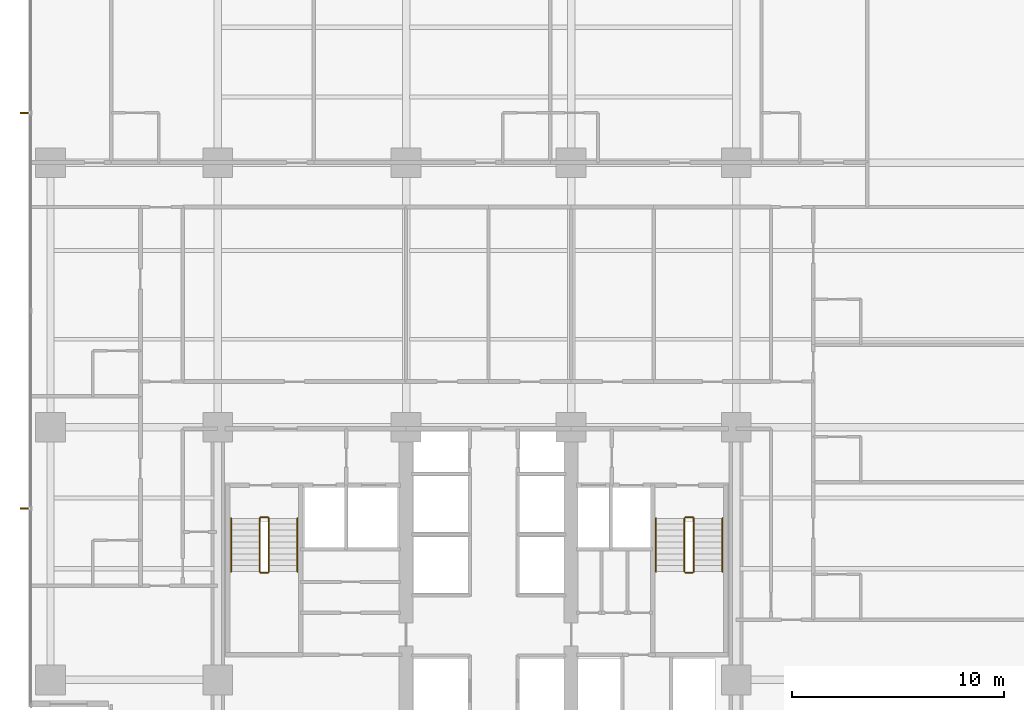
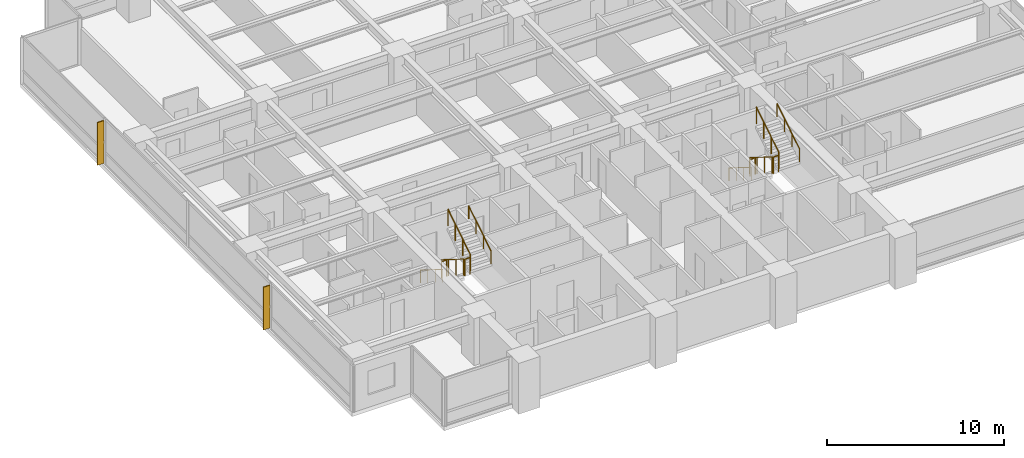
# One storey, part 15 of 16: 12 railings, 2 shading devices.
"""IFC4 building model written with IfcOpenShell, lengths in metres."""

from ifc_helpers import new_model, si_unit, direction, frame, origin, origin_2d, place, context, subcontext, project, spatial, polyline, circle, outline, extrude, material, layer, layer_set, type_object, element, save


model = new_model("IFC4")

# Units and contexts
model_context = context("Model", 3, precision=1e-05, world=origin(), true_north=direction((0.0, 1.0)))
body_context = subcontext(model_context, "Body", "Model", "MODEL_VIEW")
ifc_project = project(units=[si_unit("LENGTHUNIT", "METRE"), si_unit("AREAUNIT", "SQUARE_METRE"), si_unit("VOLUMEUNIT", "CUBIC_METRE"), si_unit("PLANEANGLEUNIT", "RADIAN"), si_unit("MASSUNIT", "GRAM", prefix="KILO")], contexts=[model_context])

# Site, building, storey
site_placement = place(None, origin())
site = spatial("IfcSite", under=ifc_project, at=site_placement, CompositionType="ELEMENT")
building_placement = place(site_placement, origin())
building = spatial("IfcBuilding", under=site, at=building_placement, Name="Qalmaran Belvedere Hotel", CompositionType="ELEMENT")
storey_placement = place(building_placement, frame((0.0, 0.0, 50.89990234375)))
storey = spatial("IfcBuildingStorey", under=building, at=storey_placement, Name="L12", CompositionType="ELEMENT", Elevation=50.89990234375)

# Shading devices
ifc_material_1 = material(Name="Anodised Bronze Aluminium", Category="aluminium")
ifc_layer = layer(ifc_material_1, 0.06494140625, Name="Anodised Bronze Aluminium")
ifc_layer_set = layer_set([ifc_layer], Name="Anodised Bronze Aluminium")
shading_device_type = type_object("IfcShadingDeviceType", Name="FIN-BRNZ-420", PredefinedType="USERDEFINED", material=ifc_layer_set)
shading_device_1_placement = place(storey_placement, frame((0.0, 0.0, 0.16015625)))
element("IfcShadingDevice", 1, at=shading_device_1_placement, inside=storey, type_object=shading_device_type, Name="L12 Bronze Fin 1", ObjectType="FIN", PredefinedType="USERDEFINED", context=body_context, shape_type="SweptSolid", body=[
    extrude(outline(polyline([(11.37744140625, 35.382568359375), (10.95751953125, 35.382568359375), (10.95751953125, 35.3173828125), (11.37744140625, 35.3173828125), (11.37744140625, 35.382568359375)])), origin(), (0.0, 0.0, 1.0), 2.93994140625),
])
shading_device_2_placement = place(storey_placement, frame((0.0, 0.0, 0.16015625)))
element("IfcShadingDevice", 2, at=shading_device_2_placement, inside=storey, type_object=shading_device_type, Name="L12 Bronze Fin 3", ObjectType="FIN", PredefinedType="USERDEFINED", context=body_context, shape_type="SweptSolid", body=[
    extrude(outline(polyline([(11.37744140625, 16.6826171875), (10.95751953125, 16.6826171875), (10.95751953125, 16.617431640625), (11.37744140625, 16.617431640625), (11.37744140625, 16.6826171875)])), origin(), (0.0, 0.0, 1.0), 2.93994140625),
])

# Railings
ifc_material_2 = material(Name="Stainless Steel 1.4401", Category="steel")
railing_type_1 = type_object("IfcRailingType", Name="RLG-STAIR-GUARD-1150", PredefinedType="GUARDRAIL", material=ifc_material_2)
railing_1_placement = place(storey_placement, frame((22.280029296875, 16.18994140625, 0.175048828125)))
element("IfcRailing", 3, at=railing_1_placement, inside=storey, type_object=railing_type_1, Name="L12 ST-1 stair guard 1", PredefinedType="GUARDRAIL", context=body_context, shape_type="SweptSolid", body=[
    extrude(circle(Radius=0.02392578125, at=origin_2d()), frame((0.0, 0.0, 1.1259765625), z_axis=(0.0, -0.848007534815, 0.529984170421), x_axis=(1.0, 0.0, 0.0)), (0.0, 0.0, 1.0), 2.9716796875),
    extrude(circle(Radius=0.02099609375, at=origin_2d()), origin(), (0.0, 0.0, 1.0), 1.101806640625),
    extrude(circle(Radius=0.02099609375, at=origin_2d()), frame((0.0, -0.840087890625, 0.52490234375)), (0.0, 0.0, 1.0), 1.101806640625),
    extrude(circle(Radius=0.02099609375, at=origin_2d()), frame((0.0, -1.679931640625, 1.050048828125)), (0.0, 0.0, 1.0), 1.101806640625),
    extrude(circle(Radius=0.02099609375, at=origin_2d()), frame((0.0, -2.52001953125, 1.574951171875)), (0.0, 0.0, 1.0), 1.101806640625),
])
railing_2_placement = place(storey_placement, frame((22.330078125, 13.6201171875, 1.75)))
element("IfcRailing", 4, at=railing_2_placement, inside=storey, type_object=railing_type_1, Name="L12 ST-1 stair guard 2", PredefinedType="GUARDRAIL", context=body_context, shape_type="SweptSolid", body=[
    extrude(circle(Radius=0.02392578125, at=origin_2d()), frame((0.0, 0.0, 1.1259765625), z_axis=(1.0, 0.0, 0.0), x_axis=(0.0, 1.0, 0.0)), (0.0, 0.0, 1.0), 0.33984375),
    extrude(circle(Radius=0.02099609375, at=origin_2d()), origin(), (0.0, 0.0, 1.0), 1.101806640625),
    extrude(circle(Radius=0.02099609375, at=origin_2d()), frame((0.33984375, 0.0, 0.0)), (0.0, 0.0, 1.0), 1.101806640625),
])
railing_3_placement = place(storey_placement, frame((22.719970703125, 13.669921875, 1.925048828125)))
element("IfcRailing", 5, at=railing_3_placement, inside=storey, type_object=railing_type_1, Name="L12 ST-1 stair guard 3", PredefinedType="GUARDRAIL", context=body_context, shape_type="SweptSolid", body=[
    extrude(circle(Radius=0.02392578125, at=origin_2d()), frame((0.0, 0.0, 1.1259765625), z_axis=(0.0, 0.848007534815, 0.529984170421), x_axis=(-1.0, 0.0, 0.0)), (0.0, 0.0, 1.0), 2.9716796875),
    extrude(circle(Radius=0.02099609375, at=origin_2d()), origin(), (0.0, 0.0, 1.0), 1.101806640625),
    extrude(circle(Radius=0.02099609375, at=origin_2d()), frame((0.0, 0.840087890625, 0.52490234375)), (0.0, 0.0, 1.0), 1.101806640625),
    extrude(circle(Radius=0.02099609375, at=origin_2d()), frame((0.0, 1.679931640625, 1.050048828125)), (0.0, 0.0, 1.0), 1.101806640625),
    extrude(circle(Radius=0.02099609375, at=origin_2d()), frame((0.0, 2.52001953125, 1.574951171875)), (0.0, 0.0, 1.0), 1.101806640625),
])
railing_4_placement = place(storey_placement, frame((22.330078125, 16.239990234375, 0.0)))
element("IfcRailing", 6, at=railing_4_placement, inside=storey, type_object=railing_type_1, Name="L12 ST-1 stair guard 4", PredefinedType="GUARDRAIL", context=body_context, shape_type="SweptSolid", body=[
    extrude(circle(Radius=0.02392578125, at=origin_2d()), frame((0.0, 0.0, 1.1259765625), z_axis=(1.0, 0.0, 0.0), x_axis=(0.0, 1.0, 0.0)), (0.0, 0.0, 1.0), 0.33984375),
    extrude(circle(Radius=0.02099609375, at=origin_2d()), origin(), (0.0, 0.0, 1.0), 1.101806640625),
    extrude(circle(Radius=0.02099609375, at=origin_2d()), frame((0.33984375, 0.0, 0.0)), (0.0, 0.0, 1.0), 1.101806640625),
])
railing_5_placement = place(storey_placement, frame((42.360107421875, 16.18994140625, 0.175048828125)))
element("IfcRailing", 7, at=railing_5_placement, inside=storey, type_object=railing_type_1, Name="L12 ST-2 stair guard 1", PredefinedType="GUARDRAIL", context=body_context, shape_type="SweptSolid", body=[
    extrude(circle(Radius=0.02392578125, at=origin_2d()), frame((0.0, 0.0, 1.1259765625), z_axis=(0.0, -0.848007534815, 0.529984170421), x_axis=(1.0, 0.0, 0.0)), (0.0, 0.0, 1.0), 2.9716796875),
    extrude(circle(Radius=0.02099609375, at=origin_2d()), origin(), (0.0, 0.0, 1.0), 1.101806640625),
    extrude(circle(Radius=0.02099609375, at=origin_2d()), frame((0.0, -0.840087890625, 0.52490234375)), (0.0, 0.0, 1.0), 1.101806640625),
    extrude(circle(Radius=0.02099609375, at=origin_2d()), frame((0.0, -1.679931640625, 1.050048828125)), (0.0, 0.0, 1.0), 1.101806640625),
    extrude(circle(Radius=0.02099609375, at=origin_2d()), frame((0.0, -2.52001953125, 1.574951171875)), (0.0, 0.0, 1.0), 1.101806640625),
])
railing_6_placement = place(storey_placement, frame((42.409912109375, 13.6201171875, 1.75)))
element("IfcRailing", 8, at=railing_6_placement, inside=storey, type_object=railing_type_1, Name="L12 ST-2 stair guard 2", PredefinedType="GUARDRAIL", context=body_context, shape_type="SweptSolid", body=[
    extrude(circle(Radius=0.02392578125, at=origin_2d()), frame((0.0, 0.0, 1.1259765625), z_axis=(1.0, 0.0, 0.0), x_axis=(0.0, 1.0, 0.0)), (0.0, 0.0, 1.0), 0.340087890625),
    extrude(circle(Radius=0.02099609375, at=origin_2d()), origin(), (0.0, 0.0, 1.0), 1.101806640625),
    extrude(circle(Radius=0.02099609375, at=origin_2d()), frame((0.340087890625, 0.0, 0.0)), (0.0, 0.0, 1.0), 1.101806640625),
])
railing_7_placement = place(storey_placement, frame((42.800048828125, 13.669921875, 1.925048828125)))
element("IfcRailing", 9, at=railing_7_placement, inside=storey, type_object=railing_type_1, Name="L12 ST-2 stair guard 3", PredefinedType="GUARDRAIL", context=body_context, shape_type="SweptSolid", body=[
    extrude(circle(Radius=0.02392578125, at=origin_2d()), frame((0.0, 0.0, 1.1259765625), z_axis=(0.0, 0.848007534815, 0.529984170421), x_axis=(-1.0, 0.0, 0.0)), (0.0, 0.0, 1.0), 2.9716796875),
    extrude(circle(Radius=0.02099609375, at=origin_2d()), origin(), (0.0, 0.0, 1.0), 1.101806640625),
    extrude(circle(Radius=0.02099609375, at=origin_2d()), frame((0.0, 0.840087890625, 0.52490234375)), (0.0, 0.0, 1.0), 1.101806640625),
    extrude(circle(Radius=0.02099609375, at=origin_2d()), frame((0.0, 1.679931640625, 1.050048828125)), (0.0, 0.0, 1.0), 1.101806640625),
    extrude(circle(Radius=0.02099609375, at=origin_2d()), frame((0.0, 2.52001953125, 1.574951171875)), (0.0, 0.0, 1.0), 1.101806640625),
])
railing_8_placement = place(storey_placement, frame((42.409912109375, 16.239990234375, 0.0)))
element("IfcRailing", 10, at=railing_8_placement, inside=storey, type_object=railing_type_1, Name="L12 ST-2 stair guard 4", PredefinedType="GUARDRAIL", context=body_context, shape_type="SweptSolid", body=[
    extrude(circle(Radius=0.02392578125, at=origin_2d()), frame((0.0, 0.0, 1.1259765625), z_axis=(1.0, 0.0, 0.0), x_axis=(0.0, 1.0, 0.0)), (0.0, 0.0, 1.0), 0.340087890625),
    extrude(circle(Radius=0.02099609375, at=origin_2d()), origin(), (0.0, 0.0, 1.0), 1.101806640625),
    extrude(circle(Radius=0.02099609375, at=origin_2d()), frame((0.340087890625, 0.0, 0.0)), (0.0, 0.0, 1.0), 1.101806640625),
])
railing_type_2 = type_object("IfcRailingType", Name="RLG-STAIR-HAND-910", PredefinedType="HANDRAIL", material=ifc_material_2)
railing_9_placement = place(storey_placement, frame((20.929931640625, 16.18994140625, 0.175048828125)))
element("IfcRailing", 11, at=railing_9_placement, inside=storey, type_object=railing_type_2, Name="L12 ST-1 stair handrail 1", PredefinedType="HANDRAIL", context=body_context, shape_type="SweptSolid", body=[
    extrude(circle(Radius=0.02392578125, at=origin_2d()), frame((0.0, 0.0, 0.8857421875), z_axis=(0.0, -0.848007534815, 0.529984170421), x_axis=(1.0, 0.0, 0.0)), (0.0, 0.0, 1.0), 2.9716796875),
    extrude(circle(Radius=0.02099609375, at=origin_2d()), origin(), (0.0, 0.0, 1.0), 0.86181640625),
    extrude(circle(Radius=0.02099609375, at=origin_2d()), frame((0.0, -0.840087890625, 0.52490234375)), (0.0, 0.0, 1.0), 0.86181640625),
    extrude(circle(Radius=0.02099609375, at=origin_2d()), frame((0.0, -1.679931640625, 1.050048828125)), (0.0, 0.0, 1.0), 0.86181640625),
    extrude(circle(Radius=0.02099609375, at=origin_2d()), frame((0.0, -2.52001953125, 1.574951171875)), (0.0, 0.0, 1.0), 0.86181640625),
])
railing_10_placement = place(storey_placement, frame((24.070068359375, 13.669921875, 1.925048828125)))
element("IfcRailing", 12, at=railing_10_placement, inside=storey, type_object=railing_type_2, Name="L12 ST-1 stair handrail 2", PredefinedType="HANDRAIL", context=body_context, shape_type="SweptSolid", body=[
    extrude(circle(Radius=0.02392578125, at=origin_2d()), frame((0.0, 0.0, 0.8857421875), z_axis=(0.0, 0.848007534815, 0.529984170421), x_axis=(-1.0, 0.0, 0.0)), (0.0, 0.0, 1.0), 2.9716796875),
    extrude(circle(Radius=0.02099609375, at=origin_2d()), origin(), (0.0, 0.0, 1.0), 0.86181640625),
    extrude(circle(Radius=0.02099609375, at=origin_2d()), frame((0.0, 0.840087890625, 0.52490234375)), (0.0, 0.0, 1.0), 0.86181640625),
    extrude(circle(Radius=0.02099609375, at=origin_2d()), frame((0.0, 1.679931640625, 1.050048828125)), (0.0, 0.0, 1.0), 0.86181640625),
    extrude(circle(Radius=0.02099609375, at=origin_2d()), frame((0.0, 2.52001953125, 1.574951171875)), (0.0, 0.0, 1.0), 0.86181640625),
])
railing_11_placement = place(storey_placement, frame((41.010009765625, 16.18994140625, 0.175048828125)))
element("IfcRailing", 13, at=railing_11_placement, inside=storey, type_object=railing_type_2, Name="L12 ST-2 stair handrail 1", PredefinedType="HANDRAIL", context=body_context, shape_type="SweptSolid", body=[
    extrude(circle(Radius=0.02392578125, at=origin_2d()), frame((0.0, 0.0, 0.8857421875), z_axis=(0.0, -0.848007534815, 0.529984170421), x_axis=(1.0, 0.0, 0.0)), (0.0, 0.0, 1.0), 2.9716796875),
    extrude(circle(Radius=0.02099609375, at=origin_2d()), origin(), (0.0, 0.0, 1.0), 0.86181640625),
    extrude(circle(Radius=0.02099609375, at=origin_2d()), frame((0.0, -0.840087890625, 0.52490234375)), (0.0, 0.0, 1.0), 0.86181640625),
    extrude(circle(Radius=0.02099609375, at=origin_2d()), frame((0.0, -1.679931640625, 1.050048828125)), (0.0, 0.0, 1.0), 0.86181640625),
    extrude(circle(Radius=0.02099609375, at=origin_2d()), frame((0.0, -2.52001953125, 1.574951171875)), (0.0, 0.0, 1.0), 0.86181640625),
])
railing_12_placement = place(storey_placement, frame((44.14990234375, 13.669921875, 1.925048828125)))
element("IfcRailing", 14, at=railing_12_placement, inside=storey, type_object=railing_type_2, Name="L12 ST-2 stair handrail 2", PredefinedType="HANDRAIL", context=body_context, shape_type="SweptSolid", body=[
    extrude(circle(Radius=0.02392578125, at=origin_2d()), frame((0.0, 0.0, 0.8857421875), z_axis=(0.0, 0.848007534815, 0.529984170421), x_axis=(-1.0, 0.0, 0.0)), (0.0, 0.0, 1.0), 2.9716796875),
    extrude(circle(Radius=0.02099609375, at=origin_2d()), origin(), (0.0, 0.0, 1.0), 0.86181640625),
    extrude(circle(Radius=0.02099609375, at=origin_2d()), frame((0.0, 0.840087890625, 0.52490234375)), (0.0, 0.0, 1.0), 0.86181640625),
    extrude(circle(Radius=0.02099609375, at=origin_2d()), frame((0.0, 1.679931640625, 1.050048828125)), (0.0, 0.0, 1.0), 0.86181640625),
    extrude(circle(Radius=0.02099609375, at=origin_2d()), frame((0.0, 2.52001953125, 1.574951171875)), (0.0, 0.0, 1.0), 0.86181640625),
])

save(model, "model.ifc")
